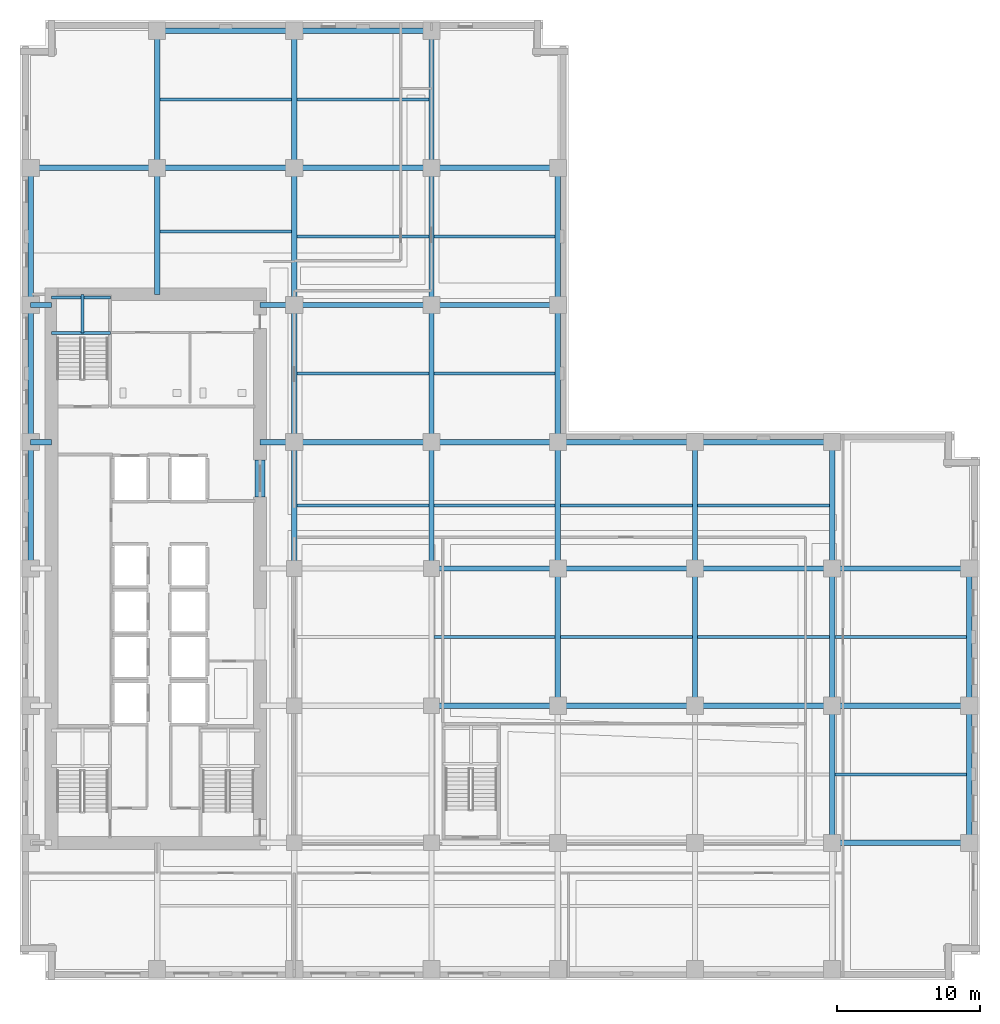
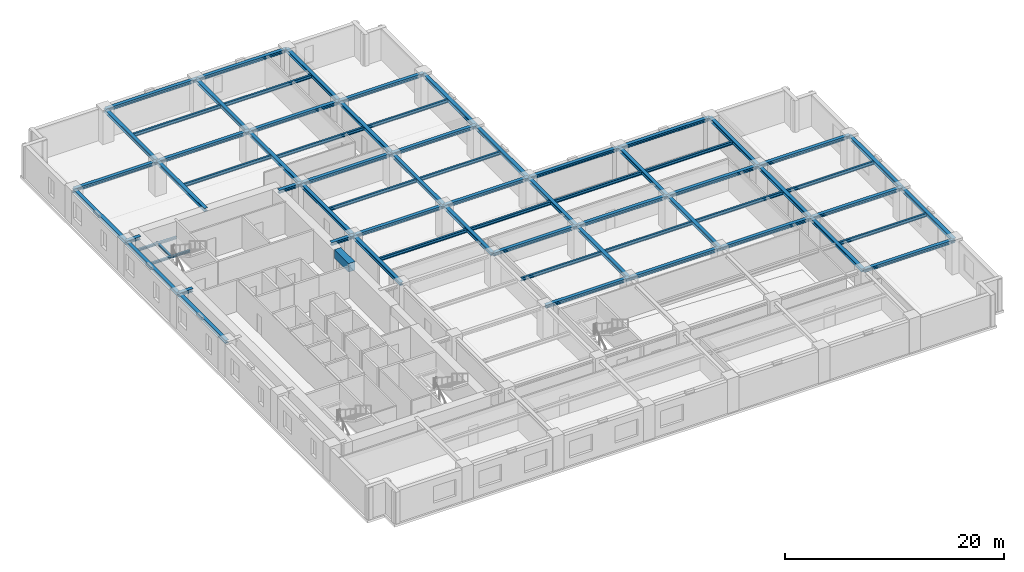
# One storey, part 2 of 13: 69 beams.
"""IFC4 building model written with IfcOpenShell, lengths in metres."""

from ifc_helpers import new_model, si_unit, direction, frame, origin, origin_2d, place, context, subcontext, project, spatial, rectangle, i_section, extrude, material, material_profile, profile_set, type_object, element, save


model = new_model("IFC4")

# Units and contexts
model_context = context("Model", 3, precision=1e-05, world=origin(), true_north=direction((0.0, 1.0)))
body_context = subcontext(model_context, "Body", "Model", "MODEL_VIEW")
ifc_project = project(units=[si_unit("LENGTHUNIT", "METRE"), si_unit("AREAUNIT", "SQUARE_METRE"), si_unit("VOLUMEUNIT", "CUBIC_METRE"), si_unit("PLANEANGLEUNIT", "RADIAN"), si_unit("MASSUNIT", "GRAM", prefix="KILO")], contexts=[model_context])

# Site, building, storey
site_placement = place(None, origin())
site = spatial("IfcSite", under=ifc_project, at=site_placement, CompositionType="ELEMENT")
building_placement = place(site_placement, origin())
building = spatial("IfcBuilding", under=site, at=building_placement, Name="Norrvale University Quadrangle", CompositionType="ELEMENT")
storey_placement = place(building_placement, frame((0.0, 0.0, 47.0)))
storey = spatial("IfcBuildingStorey", under=building, at=storey_placement, Name="L11", CompositionType="ELEMENT", Elevation=47.0)

# Beams
ifc_material_1 = material(Name="Concrete C80/95", Category="concrete")
ifc_material_profile_1 = material_profile(ifc_material_1, rectangle(XDim=0.699951171875, YDim=0.949951171875, at=origin_2d()), Name="Concrete C80/95")
ifc_profile_set_1 = profile_set([ifc_material_profile_1], Name="Concrete C80/95")
beam_type_1 = type_object("IfcBeamType", Name="Beam Core Link 700x950", PredefinedType="LINTEL", material=ifc_profile_set_1)
beam_1_placement = place(storey_placement, frame((16.800048828125, 33.800048828125, 3.06494140625), z_axis=(0.0, 1.0, 0.0), x_axis=(-1.0, 0.0, 0.0)))
element("IfcBeam", 1, at=beam_1_placement, inside=storey, type_object=beam_type_1, Name="Core Coupling Lintel Beam L11-2", PredefinedType="LINTEL", context=body_context, shape_type="SweptSolid", body=[
    extrude(rectangle(XDim=0.699951171875, YDim=0.949951171875, at=origin_2d()), origin(), (0.0, 0.0, 1.0), 2.599853515625),
])
ifc_material_2 = material(Name="Steel 350W", Category="steel")
ifc_material_profile_2 = material_profile(ifc_material_2, i_section(OverallWidth=0.368896484375, OverallDepth=0.35595703125, WebThickness=0.01123046875, FlangeThickness=0.01806640625, FilletRadius=0.014892578125, at=origin_2d()), Name="Steel 350W")
ifc_profile_set_2 = profile_set([ifc_material_profile_2], Name="Steel 350W")
beam_type_2 = type_object("IfcBeamType", Name="Beam Crown W360x134", PredefinedType="BEAM", material=ifc_profile_set_2)
beam_2_placement = place(storey_placement, frame((56.85009765625, 9.60009765625, 3.362060546875), z_axis=(1.0, 0.0, 0.0), x_axis=(0.0, 1.0, 0.0)))
element("IfcBeam", 2, at=beam_2_placement, inside=storey, type_object=beam_type_2, Name="Beam Crown W360x134 BM-L11-GX010", PredefinedType="BEAM", context=body_context, shape_type="SweptSolid", body=[
    extrude(i_section(OverallWidth=0.368896484375, OverallDepth=0.35595703125, WebThickness=0.01123046875, FlangeThickness=0.01806640625, FilletRadius=0.014892578125, at=origin_2d()), origin(), (0.0, 0.0, 1.0), 9.599853515625),
])
beam_3_placement = place(storey_placement, frame((28.800048828125, 19.199951171875, 3.362060546875), z_axis=(1.0, 0.0, 0.0), x_axis=(0.0, 1.0, 0.0)))
element("IfcBeam", 3, at=beam_3_placement, inside=storey, type_object=beam_type_2, Name="Beam Crown W360x134 BM-L11-GX012", PredefinedType="BEAM", context=body_context, shape_type="SweptSolid", body=[
    extrude(i_section(OverallWidth=0.368896484375, OverallDepth=0.35595703125, WebThickness=0.01123046875, FlangeThickness=0.01806640625, FilletRadius=0.014892578125, at=origin_2d()), origin(), (0.0, 0.0, 1.0), 8.849853515625),
])
for number, where, z_axis, x_axis, name in (
    (4, (37.64990234375, 19.199951171875, 3.362060546875), (1.0, 0.0, 0.0), (0.0, 1.0, 0.0), "Beam Crown W360x134 BM-L11-GX013"),
    (5, (47.25, 19.199951171875, 3.362060546875), (1.0, 0.0, 0.0), (0.0, 1.0, 0.0), "Beam Crown W360x134 BM-L11-GX014"),
):
    element("IfcBeam", number, at=place(storey_placement, frame(where, z_axis=z_axis, x_axis=x_axis)), inside=storey, type_object=beam_type_2, Name=name, PredefinedType="BEAM", context=body_context, shape_type="SweptSolid", body=[
        extrude(i_section(OverallWidth=0.368896484375, OverallDepth=0.35595703125, WebThickness=0.01123046875, FlangeThickness=0.01806640625, FilletRadius=0.014892578125, at=origin_2d()), origin(), (0.0, 0.0, 1.0), 9.60009765625),
    ])
beam_4_placement = place(storey_placement, frame((56.85009765625, 19.199951171875, 3.362060546875), z_axis=(1.0, 0.0, 0.0), x_axis=(0.0, 1.0, 0.0)))
element("IfcBeam", 6, at=beam_4_placement, inside=storey, type_object=beam_type_2, Name="Beam Crown W360x134 BM-L11-GX015", PredefinedType="BEAM", context=body_context, shape_type="SweptSolid", body=[
    extrude(i_section(OverallWidth=0.368896484375, OverallDepth=0.35595703125, WebThickness=0.01123046875, FlangeThickness=0.01806640625, FilletRadius=0.014892578125, at=origin_2d()), origin(), (0.0, 0.0, 1.0), 9.599853515625),
])
beam_5_placement = place(storey_placement, frame((28.800048828125, 28.800048828125, 3.362060546875), z_axis=(1.0, 0.0, 0.0), x_axis=(0.0, 1.0, 0.0)))
element("IfcBeam", 7, at=beam_5_placement, inside=storey, type_object=beam_type_2, Name="Beam Crown W360x134 BM-L11-GX017", PredefinedType="BEAM", context=body_context, shape_type="SweptSolid", body=[
    extrude(i_section(OverallWidth=0.368896484375, OverallDepth=0.35595703125, WebThickness=0.01123046875, FlangeThickness=0.01806640625, FilletRadius=0.014892578125, at=origin_2d()), origin(), (0.0, 0.0, 1.0), 8.849853515625),
])
for number, where, z_axis, x_axis, name in (
    (8, (37.64990234375, 28.800048828125, 3.362060546875), (1.0, 0.0, 0.0), (0.0, 1.0, 0.0), "Beam Crown W360x134 BM-L11-GX018"),
    (9, (47.25, 28.800048828125, 3.362060546875), (1.0, 0.0, 0.0), (0.0, 1.0, 0.0), "Beam Crown W360x134 BM-L11-GX019"),
):
    element("IfcBeam", number, at=place(storey_placement, frame(where, z_axis=z_axis, x_axis=x_axis)), inside=storey, type_object=beam_type_2, Name=name, PredefinedType="BEAM", context=body_context, shape_type="SweptSolid", body=[
        extrude(i_section(OverallWidth=0.368896484375, OverallDepth=0.35595703125, WebThickness=0.01123046875, FlangeThickness=0.01806640625, FilletRadius=0.014892578125, at=origin_2d()), origin(), (0.0, 0.0, 1.0), 9.60009765625),
    ])
beam_6_placement = place(storey_placement, frame((56.85009765625, 28.800048828125, 3.362060546875), z_axis=(1.0, 0.0, 0.0), x_axis=(0.0, 1.0, 0.0)))
element("IfcBeam", 10, at=beam_6_placement, inside=storey, type_object=beam_type_2, Name="Beam Crown W360x134 BM-L11-GX020", PredefinedType="BEAM", context=body_context, shape_type="SweptSolid", body=[
    extrude(i_section(OverallWidth=0.368896484375, OverallDepth=0.35595703125, WebThickness=0.01123046875, FlangeThickness=0.01806640625, FilletRadius=0.014892578125, at=origin_2d()), origin(), (0.0, 0.0, 1.0), 9.599853515625),
])
beam_7_placement = place(storey_placement, frame((19.199951171875, 37.64990234375, 3.362060546875), z_axis=(1.0, 0.0, 0.0), x_axis=(0.0, 1.0, 0.0)))
element("IfcBeam", 11, at=beam_7_placement, inside=storey, type_object=beam_type_2, Name="Beam Crown W360x134 BM-L11-GX021", PredefinedType="BEAM", context=body_context, shape_type="SweptSolid", body=[
    extrude(i_section(OverallWidth=0.368896484375, OverallDepth=0.35595703125, WebThickness=0.01123046875, FlangeThickness=0.01806640625, FilletRadius=0.014892578125, at=origin_2d()), origin(), (0.0, 0.0, 1.0), 9.60009765625),
])
beam_8_placement = place(storey_placement, frame((28.800048828125, 37.64990234375, 3.362060546875), z_axis=(1.0, 0.0, 0.0), x_axis=(0.0, 1.0, 0.0)))
element("IfcBeam", 12, at=beam_8_placement, inside=storey, type_object=beam_type_2, Name="Beam Crown W360x134 BM-L11-GX022", PredefinedType="BEAM", context=body_context, shape_type="SweptSolid", body=[
    extrude(i_section(OverallWidth=0.368896484375, OverallDepth=0.35595703125, WebThickness=0.01123046875, FlangeThickness=0.01806640625, FilletRadius=0.014892578125, at=origin_2d()), origin(), (0.0, 0.0, 1.0), 8.849853515625),
])
for number, where, z_axis, x_axis, name in (
    (13, (37.64990234375, 37.64990234375, 3.362060546875), (1.0, 0.0, 0.0), (0.0, 1.0, 0.0), "Beam Crown W360x134 BM-L11-GX023"),
    (14, (47.25, 37.64990234375, 3.362060546875), (1.0, 0.0, 0.0), (0.0, 1.0, 0.0), "Beam Crown W360x134 BM-L11-GX024"),
    (15, (19.199951171875, 47.25, 3.362060546875), (1.0, 0.0, 0.0), (0.0, 1.0, 0.0), "Beam Crown W360x134 BM-L11-GX025"),
):
    element("IfcBeam", number, at=place(storey_placement, frame(where, z_axis=z_axis, x_axis=x_axis)), inside=storey, type_object=beam_type_2, Name=name, PredefinedType="BEAM", context=body_context, shape_type="SweptSolid", body=[
        extrude(i_section(OverallWidth=0.368896484375, OverallDepth=0.35595703125, WebThickness=0.01123046875, FlangeThickness=0.01806640625, FilletRadius=0.014892578125, at=origin_2d()), origin(), (0.0, 0.0, 1.0), 9.60009765625),
    ])
beam_9_placement = place(storey_placement, frame((28.800048828125, 47.25, 3.362060546875), z_axis=(1.0, 0.0, 0.0), x_axis=(0.0, 1.0, 0.0)))
element("IfcBeam", 16, at=beam_9_placement, inside=storey, type_object=beam_type_2, Name="Beam Crown W360x134 BM-L11-GX026", PredefinedType="BEAM", context=body_context, shape_type="SweptSolid", body=[
    extrude(i_section(OverallWidth=0.368896484375, OverallDepth=0.35595703125, WebThickness=0.01123046875, FlangeThickness=0.01806640625, FilletRadius=0.014892578125, at=origin_2d()), origin(), (0.0, 0.0, 1.0), 8.849853515625),
])
beam_10_placement = place(storey_placement, frame((0.75, 56.85009765625, 3.362060546875), z_axis=(1.0, 0.0, 0.0), x_axis=(0.0, 1.0, 0.0)))
element("IfcBeam", 17, at=beam_10_placement, inside=storey, type_object=beam_type_2, Name="Beam Crown W360x134 BM-L11-GX027", PredefinedType="BEAM", context=body_context, shape_type="SweptSolid", body=[
    extrude(i_section(OverallWidth=0.368896484375, OverallDepth=0.35595703125, WebThickness=0.01123046875, FlangeThickness=0.01806640625, FilletRadius=0.014892578125, at=origin_2d()), origin(), (0.0, 0.0, 1.0), 8.85009765625),
])
beam_11_placement = place(storey_placement, frame((9.60009765625, 56.85009765625, 3.362060546875), z_axis=(1.0, 0.0, 0.0), x_axis=(0.0, 1.0, 0.0)))
element("IfcBeam", 18, at=beam_11_placement, inside=storey, type_object=beam_type_2, Name="Beam Crown W360x134 BM-L11-GX028", PredefinedType="BEAM", context=body_context, shape_type="SweptSolid", body=[
    extrude(i_section(OverallWidth=0.368896484375, OverallDepth=0.35595703125, WebThickness=0.01123046875, FlangeThickness=0.01806640625, FilletRadius=0.014892578125, at=origin_2d()), origin(), (0.0, 0.0, 1.0), 9.599853515625),
])
beam_12_placement = place(storey_placement, frame((19.199951171875, 56.85009765625, 3.362060546875), z_axis=(1.0, 0.0, 0.0), x_axis=(0.0, 1.0, 0.0)))
element("IfcBeam", 19, at=beam_12_placement, inside=storey, type_object=beam_type_2, Name="Beam Crown W360x134 BM-L11-GX029", PredefinedType="BEAM", context=body_context, shape_type="SweptSolid", body=[
    extrude(i_section(OverallWidth=0.368896484375, OverallDepth=0.35595703125, WebThickness=0.01123046875, FlangeThickness=0.01806640625, FilletRadius=0.014892578125, at=origin_2d()), origin(), (0.0, 0.0, 1.0), 9.60009765625),
])
beam_13_placement = place(storey_placement, frame((28.800048828125, 56.85009765625, 3.362060546875), z_axis=(1.0, 0.0, 0.0), x_axis=(0.0, 1.0, 0.0)))
element("IfcBeam", 20, at=beam_13_placement, inside=storey, type_object=beam_type_2, Name="Beam Crown W360x134 BM-L11-GX030", PredefinedType="BEAM", context=body_context, shape_type="SweptSolid", body=[
    extrude(i_section(OverallWidth=0.368896484375, OverallDepth=0.35595703125, WebThickness=0.01123046875, FlangeThickness=0.01806640625, FilletRadius=0.014892578125, at=origin_2d()), origin(), (0.0, 0.0, 1.0), 8.849853515625),
])
beam_14_placement = place(storey_placement, frame((9.60009765625, 66.449951171875, 3.362060546875), z_axis=(1.0, 0.0, 0.0), x_axis=(0.0, 1.0, 0.0)))
element("IfcBeam", 21, at=beam_14_placement, inside=storey, type_object=beam_type_2, Name="Beam Crown W360x134 BM-L11-GX031", PredefinedType="BEAM", context=body_context, shape_type="SweptSolid", body=[
    extrude(i_section(OverallWidth=0.368896484375, OverallDepth=0.35595703125, WebThickness=0.01123046875, FlangeThickness=0.01806640625, FilletRadius=0.014892578125, at=origin_2d()), origin(), (0.0, 0.0, 1.0), 9.599853515625),
])
beam_15_placement = place(storey_placement, frame((19.199951171875, 66.449951171875, 3.362060546875), z_axis=(1.0, 0.0, 0.0), x_axis=(0.0, 1.0, 0.0)))
element("IfcBeam", 22, at=beam_15_placement, inside=storey, type_object=beam_type_2, Name="Beam Crown W360x134 BM-L11-GX032", PredefinedType="BEAM", context=body_context, shape_type="SweptSolid", body=[
    extrude(i_section(OverallWidth=0.368896484375, OverallDepth=0.35595703125, WebThickness=0.01123046875, FlangeThickness=0.01806640625, FilletRadius=0.014892578125, at=origin_2d()), origin(), (0.0, 0.0, 1.0), 9.60009765625),
])
beam_16_placement = place(storey_placement, frame((0.75, 28.800048828125, 3.362060546875), z_axis=(0.0, 1.0, 0.0), x_axis=(-1.0, 0.0, 0.0)))
element("IfcBeam", 23, at=beam_16_placement, inside=storey, type_object=beam_type_2, Name="Beam Crown W360x134 BM-L11-GY035", PredefinedType="BEAM", context=body_context, shape_type="SweptSolid", body=[
    extrude(i_section(OverallWidth=0.368896484375, OverallDepth=0.35595703125, WebThickness=0.01123046875, FlangeThickness=0.01806640625, FilletRadius=0.014892578125, at=origin_2d()), origin(), (0.0, 0.0, 1.0), 8.849853515625),
])
for number, where, z_axis, x_axis, name in (
    (24, (0.75, 37.64990234375, 3.362060546875), (0.0, 1.0, 0.0), (-1.0, 0.0, 0.0), "Beam Crown W360x134 BM-L11-GY036"),
    (25, (0.75, 47.25, 3.362060546875), (0.0, 1.0, 0.0), (-1.0, 0.0, 0.0), "Beam Crown W360x134 BM-L11-GY037"),
):
    element("IfcBeam", number, at=place(storey_placement, frame(where, z_axis=z_axis, x_axis=x_axis)), inside=storey, type_object=beam_type_2, Name=name, PredefinedType="BEAM", context=body_context, shape_type="SweptSolid", body=[
        extrude(i_section(OverallWidth=0.368896484375, OverallDepth=0.35595703125, WebThickness=0.01123046875, FlangeThickness=0.01806640625, FilletRadius=0.014892578125, at=origin_2d()), origin(), (0.0, 0.0, 1.0), 9.60009765625),
    ])
beam_17_placement = place(storey_placement, frame((9.60009765625, 56.85009765625, 3.362060546875), z_axis=(0.0, 1.0, 0.0), x_axis=(-1.0, 0.0, 0.0)))
element("IfcBeam", 26, at=beam_17_placement, inside=storey, type_object=beam_type_2, Name="Beam Crown W360x134 BM-L11-GY038", PredefinedType="BEAM", context=body_context, shape_type="SweptSolid", body=[
    extrude(i_section(OverallWidth=0.368896484375, OverallDepth=0.35595703125, WebThickness=0.01123046875, FlangeThickness=0.01806640625, FilletRadius=0.014892578125, at=origin_2d()), origin(), (0.0, 0.0, 1.0), 9.599853515625),
])
beam_18_placement = place(storey_placement, frame((19.199951171875, 28.800048828125, 3.362060546875), z_axis=(0.0, 1.0, 0.0), x_axis=(-1.0, 0.0, 0.0)))
element("IfcBeam", 27, at=beam_18_placement, inside=storey, type_object=beam_type_2, Name="Beam Crown W360x134 BM-L11-GY042", PredefinedType="BEAM", context=body_context, shape_type="SweptSolid", body=[
    extrude(i_section(OverallWidth=0.368896484375, OverallDepth=0.35595703125, WebThickness=0.01123046875, FlangeThickness=0.01806640625, FilletRadius=0.014892578125, at=origin_2d()), origin(), (0.0, 0.0, 1.0), 8.849853515625),
])
for number, where, z_axis, x_axis, name in (
    (28, (19.199951171875, 37.64990234375, 3.362060546875), (0.0, 1.0, 0.0), (-1.0, 0.0, 0.0), "Beam Crown W360x134 BM-L11-GY043"),
    (29, (19.199951171875, 47.25, 3.362060546875), (0.0, 1.0, 0.0), (-1.0, 0.0, 0.0), "Beam Crown W360x134 BM-L11-GY044"),
):
    element("IfcBeam", number, at=place(storey_placement, frame(where, z_axis=z_axis, x_axis=x_axis)), inside=storey, type_object=beam_type_2, Name=name, PredefinedType="BEAM", context=body_context, shape_type="SweptSolid", body=[
        extrude(i_section(OverallWidth=0.368896484375, OverallDepth=0.35595703125, WebThickness=0.01123046875, FlangeThickness=0.01806640625, FilletRadius=0.014892578125, at=origin_2d()), origin(), (0.0, 0.0, 1.0), 9.60009765625),
    ])
beam_19_placement = place(storey_placement, frame((19.199951171875, 56.85009765625, 3.362060546875), z_axis=(0.0, 1.0, 0.0), x_axis=(-1.0, 0.0, 0.0)))
element("IfcBeam", 30, at=beam_19_placement, inside=storey, type_object=beam_type_2, Name="Beam Crown W360x134 BM-L11-GY045", PredefinedType="BEAM", context=body_context, shape_type="SweptSolid", body=[
    extrude(i_section(OverallWidth=0.368896484375, OverallDepth=0.35595703125, WebThickness=0.01123046875, FlangeThickness=0.01806640625, FilletRadius=0.014892578125, at=origin_2d()), origin(), (0.0, 0.0, 1.0), 9.599853515625),
])
beam_20_placement = place(storey_placement, frame((28.800048828125, 28.800048828125, 3.362060546875), z_axis=(0.0, 1.0, 0.0), x_axis=(-1.0, 0.0, 0.0)))
element("IfcBeam", 31, at=beam_20_placement, inside=storey, type_object=beam_type_2, Name="Beam Crown W360x134 BM-L11-GY049", PredefinedType="BEAM", context=body_context, shape_type="SweptSolid", body=[
    extrude(i_section(OverallWidth=0.368896484375, OverallDepth=0.35595703125, WebThickness=0.01123046875, FlangeThickness=0.01806640625, FilletRadius=0.014892578125, at=origin_2d()), origin(), (0.0, 0.0, 1.0), 8.849853515625),
])
for number, where, z_axis, x_axis, name in (
    (32, (28.800048828125, 37.64990234375, 3.362060546875), (0.0, 1.0, 0.0), (-1.0, 0.0, 0.0), "Beam Crown W360x134 BM-L11-GY050"),
    (33, (28.800048828125, 47.25, 3.362060546875), (0.0, 1.0, 0.0), (-1.0, 0.0, 0.0), "Beam Crown W360x134 BM-L11-GY051"),
):
    element("IfcBeam", number, at=place(storey_placement, frame(where, z_axis=z_axis, x_axis=x_axis)), inside=storey, type_object=beam_type_2, Name=name, PredefinedType="BEAM", context=body_context, shape_type="SweptSolid", body=[
        extrude(i_section(OverallWidth=0.368896484375, OverallDepth=0.35595703125, WebThickness=0.01123046875, FlangeThickness=0.01806640625, FilletRadius=0.014892578125, at=origin_2d()), origin(), (0.0, 0.0, 1.0), 9.60009765625),
    ])
beam_21_placement = place(storey_placement, frame((28.800048828125, 56.85009765625, 3.362060546875), z_axis=(0.0, 1.0, 0.0), x_axis=(-1.0, 0.0, 0.0)))
element("IfcBeam", 34, at=beam_21_placement, inside=storey, type_object=beam_type_2, Name="Beam Crown W360x134 BM-L11-GY052", PredefinedType="BEAM", context=body_context, shape_type="SweptSolid", body=[
    extrude(i_section(OverallWidth=0.368896484375, OverallDepth=0.35595703125, WebThickness=0.01123046875, FlangeThickness=0.01806640625, FilletRadius=0.014892578125, at=origin_2d()), origin(), (0.0, 0.0, 1.0), 9.599853515625),
])
beam_22_placement = place(storey_placement, frame((37.64990234375, 19.199951171875, 3.362060546875), z_axis=(0.0, 1.0, 0.0), x_axis=(-1.0, 0.0, 0.0)))
element("IfcBeam", 35, at=beam_22_placement, inside=storey, type_object=beam_type_2, Name="Beam Crown W360x134 BM-L11-GY055", PredefinedType="BEAM", context=body_context, shape_type="SweptSolid", body=[
    extrude(i_section(OverallWidth=0.368896484375, OverallDepth=0.35595703125, WebThickness=0.01123046875, FlangeThickness=0.01806640625, FilletRadius=0.014892578125, at=origin_2d()), origin(), (0.0, 0.0, 1.0), 9.60009765625),
])
beam_23_placement = place(storey_placement, frame((37.64990234375, 28.800048828125, 3.362060546875), z_axis=(0.0, 1.0, 0.0), x_axis=(-1.0, 0.0, 0.0)))
element("IfcBeam", 36, at=beam_23_placement, inside=storey, type_object=beam_type_2, Name="Beam Crown W360x134 BM-L11-GY056", PredefinedType="BEAM", context=body_context, shape_type="SweptSolid", body=[
    extrude(i_section(OverallWidth=0.368896484375, OverallDepth=0.35595703125, WebThickness=0.01123046875, FlangeThickness=0.01806640625, FilletRadius=0.014892578125, at=origin_2d()), origin(), (0.0, 0.0, 1.0), 8.849853515625),
])
for number, where, z_axis, x_axis, name in (
    (37, (37.64990234375, 37.64990234375, 3.362060546875), (0.0, 1.0, 0.0), (-1.0, 0.0, 0.0), "Beam Crown W360x134 BM-L11-GY057"),
    (38, (37.64990234375, 47.25, 3.362060546875), (0.0, 1.0, 0.0), (-1.0, 0.0, 0.0), "Beam Crown W360x134 BM-L11-GY058"),
    (39, (47.25, 19.199951171875, 3.362060546875), (0.0, 1.0, 0.0), (-1.0, 0.0, 0.0), "Beam Crown W360x134 BM-L11-GY061"),
):
    element("IfcBeam", number, at=place(storey_placement, frame(where, z_axis=z_axis, x_axis=x_axis)), inside=storey, type_object=beam_type_2, Name=name, PredefinedType="BEAM", context=body_context, shape_type="SweptSolid", body=[
        extrude(i_section(OverallWidth=0.368896484375, OverallDepth=0.35595703125, WebThickness=0.01123046875, FlangeThickness=0.01806640625, FilletRadius=0.014892578125, at=origin_2d()), origin(), (0.0, 0.0, 1.0), 9.60009765625),
    ])
beam_24_placement = place(storey_placement, frame((47.25, 28.800048828125, 3.362060546875), z_axis=(0.0, 1.0, 0.0), x_axis=(-1.0, 0.0, 0.0)))
element("IfcBeam", 40, at=beam_24_placement, inside=storey, type_object=beam_type_2, Name="Beam Crown W360x134 BM-L11-GY062", PredefinedType="BEAM", context=body_context, shape_type="SweptSolid", body=[
    extrude(i_section(OverallWidth=0.368896484375, OverallDepth=0.35595703125, WebThickness=0.01123046875, FlangeThickness=0.01806640625, FilletRadius=0.014892578125, at=origin_2d()), origin(), (0.0, 0.0, 1.0), 8.849853515625),
])
beam_25_placement = place(storey_placement, frame((56.85009765625, 9.60009765625, 3.362060546875), z_axis=(0.0, 1.0, 0.0), x_axis=(-1.0, 0.0, 0.0)))
element("IfcBeam", 41, at=beam_25_placement, inside=storey, type_object=beam_type_2, Name="Beam Crown W360x134 BM-L11-GY064", PredefinedType="BEAM", context=body_context, shape_type="SweptSolid", body=[
    extrude(i_section(OverallWidth=0.368896484375, OverallDepth=0.35595703125, WebThickness=0.01123046875, FlangeThickness=0.01806640625, FilletRadius=0.014892578125, at=origin_2d()), origin(), (0.0, 0.0, 1.0), 9.599853515625),
])
beam_26_placement = place(storey_placement, frame((56.85009765625, 19.199951171875, 3.362060546875), z_axis=(0.0, 1.0, 0.0), x_axis=(-1.0, 0.0, 0.0)))
element("IfcBeam", 42, at=beam_26_placement, inside=storey, type_object=beam_type_2, Name="Beam Crown W360x134 BM-L11-GY065", PredefinedType="BEAM", context=body_context, shape_type="SweptSolid", body=[
    extrude(i_section(OverallWidth=0.368896484375, OverallDepth=0.35595703125, WebThickness=0.01123046875, FlangeThickness=0.01806640625, FilletRadius=0.014892578125, at=origin_2d()), origin(), (0.0, 0.0, 1.0), 9.60009765625),
])
beam_27_placement = place(storey_placement, frame((56.85009765625, 28.800048828125, 3.362060546875), z_axis=(0.0, 1.0, 0.0), x_axis=(-1.0, 0.0, 0.0)))
element("IfcBeam", 43, at=beam_27_placement, inside=storey, type_object=beam_type_2, Name="Beam Crown W360x134 BM-L11-GY066", PredefinedType="BEAM", context=body_context, shape_type="SweptSolid", body=[
    extrude(i_section(OverallWidth=0.368896484375, OverallDepth=0.35595703125, WebThickness=0.01123046875, FlangeThickness=0.01806640625, FilletRadius=0.014892578125, at=origin_2d()), origin(), (0.0, 0.0, 1.0), 8.849853515625),
])
beam_28_placement = place(storey_placement, frame((66.449951171875, 9.60009765625, 3.362060546875), z_axis=(0.0, 1.0, 0.0), x_axis=(-1.0, 0.0, 0.0)))
element("IfcBeam", 44, at=beam_28_placement, inside=storey, type_object=beam_type_2, Name="Beam Crown W360x134 BM-L11-GY067", PredefinedType="BEAM", context=body_context, shape_type="SweptSolid", body=[
    extrude(i_section(OverallWidth=0.368896484375, OverallDepth=0.35595703125, WebThickness=0.01123046875, FlangeThickness=0.01806640625, FilletRadius=0.014892578125, at=origin_2d()), origin(), (0.0, 0.0, 1.0), 9.599853515625),
])
beam_29_placement = place(storey_placement, frame((66.449951171875, 19.199951171875, 3.362060546875), z_axis=(0.0, 1.0, 0.0), x_axis=(-1.0, 0.0, 0.0)))
element("IfcBeam", 45, at=beam_29_placement, inside=storey, type_object=beam_type_2, Name="Beam Crown W360x134 BM-L11-GY068", PredefinedType="BEAM", context=body_context, shape_type="SweptSolid", body=[
    extrude(i_section(OverallWidth=0.368896484375, OverallDepth=0.35595703125, WebThickness=0.01123046875, FlangeThickness=0.01806640625, FilletRadius=0.014892578125, at=origin_2d()), origin(), (0.0, 0.0, 1.0), 9.60009765625),
])
beam_30_placement = place(storey_placement, frame((0.75, 37.64990234375, 3.362060546875), z_axis=(1.0, 0.0, 0.0), x_axis=(0.0, 1.0, 0.0)))
element("IfcBeam", 46, at=beam_30_placement, inside=storey, type_object=beam_type_2, Name="Beam Crown W360x134 BM-L11-GCW075", PredefinedType="BEAM", context=body_context, shape_type="SweptSolid", body=[
    extrude(i_section(OverallWidth=0.368896484375, OverallDepth=0.35595703125, WebThickness=0.01123046875, FlangeThickness=0.01806640625, FilletRadius=0.014892578125, at=origin_2d()), origin(), (0.0, 0.0, 1.0), 1.449951171875),
])
beam_31_placement = place(storey_placement, frame((16.800048828125, 37.64990234375, 3.362060546875), z_axis=(1.0, 0.0, 0.0), x_axis=(0.0, 1.0, 0.0)))
element("IfcBeam", 47, at=beam_31_placement, inside=storey, type_object=beam_type_2, Name="Beam Crown W360x134 BM-L11-GCE076", PredefinedType="BEAM", context=body_context, shape_type="SweptSolid", body=[
    extrude(i_section(OverallWidth=0.368896484375, OverallDepth=0.35595703125, WebThickness=0.01123046875, FlangeThickness=0.01806640625, FilletRadius=0.014892578125, at=origin_2d()), origin(), (0.0, 0.0, 1.0), 2.39990234375),
])
beam_32_placement = place(storey_placement, frame((0.75, 47.25, 3.362060546875), z_axis=(1.0, 0.0, 0.0), x_axis=(0.0, 1.0, 0.0)))
element("IfcBeam", 48, at=beam_32_placement, inside=storey, type_object=beam_type_2, Name="Beam Crown W360x134 BM-L11-GCW077", PredefinedType="BEAM", context=body_context, shape_type="SweptSolid", body=[
    extrude(i_section(OverallWidth=0.368896484375, OverallDepth=0.35595703125, WebThickness=0.01123046875, FlangeThickness=0.01806640625, FilletRadius=0.014892578125, at=origin_2d()), origin(), (0.0, 0.0, 1.0), 1.449951171875),
])
beam_33_placement = place(storey_placement, frame((16.800048828125, 47.25, 3.362060546875), z_axis=(1.0, 0.0, 0.0), x_axis=(0.0, 1.0, 0.0)))
element("IfcBeam", 49, at=beam_33_placement, inside=storey, type_object=beam_type_2, Name="Beam Crown W360x134 BM-L11-GCE078", PredefinedType="BEAM", context=body_context, shape_type="SweptSolid", body=[
    extrude(i_section(OverallWidth=0.368896484375, OverallDepth=0.35595703125, WebThickness=0.01123046875, FlangeThickness=0.01806640625, FilletRadius=0.014892578125, at=origin_2d()), origin(), (0.0, 0.0, 1.0), 2.39990234375),
])
beam_34_placement = place(storey_placement, frame((9.60009765625, 48.0, 3.362060546875), z_axis=(0.0, 1.0, 0.0), x_axis=(-1.0, 0.0, 0.0)))
element("IfcBeam", 50, at=beam_34_placement, inside=storey, type_object=beam_type_2, Name="Beam Crown W360x134 BM-L11-GCN104", PredefinedType="BEAM", context=body_context, shape_type="SweptSolid", body=[
    extrude(i_section(OverallWidth=0.368896484375, OverallDepth=0.35595703125, WebThickness=0.01123046875, FlangeThickness=0.01806640625, FilletRadius=0.014892578125, at=origin_2d()), origin(), (0.0, 0.0, 1.0), 8.85009765625),
])
ifc_material_profile_3 = material_profile(ifc_material_2, i_section(OverallWidth=0.205078125, OverallDepth=0.35400390625, WebThickness=0.009521484375, FlangeThickness=0.016845703125, FilletRadius=0.011962890625, at=origin_2d()), Name="Steel 350W")
ifc_profile_set_3 = profile_set([ifc_material_profile_3], Name="Steel 350W")
beam_type_3 = type_object("IfcBeamType", Name="Beam Crown W360x79", PredefinedType="BEAM", material=ifc_profile_set_3)
for number, where, z_axis, x_axis, name in (
    (51, (9.784423828125, 61.64990234375, 3.363037109375), (1.0, 0.0, 0.0), (0.0, 1.0, 0.0), "Beam Crown W360x79 BM-L11-J079"),
    (52, (19.384521484375, 33.22509765625, 3.363037109375), (1.0, 0.0, 0.0), (0.0, 1.0, 0.0), "Beam Crown W360x79 BM-L11-J083"),
    (53, (19.384521484375, 42.449951171875, 3.363037109375), (1.0, 0.0, 0.0), (0.0, 1.0, 0.0), "Beam Crown W360x79 BM-L11-J084"),
    (54, (19.384521484375, 52.050048828125, 3.363037109375), (1.0, 0.0, 0.0), (0.0, 1.0, 0.0), "Beam Crown W360x79 BM-L11-J085"),
    (55, (19.384521484375, 61.64990234375, 3.363037109375), (1.0, 0.0, 0.0), (0.0, 1.0, 0.0), "Beam Crown W360x79 BM-L11-J086"),
):
    element("IfcBeam", number, at=place(storey_placement, frame(where, z_axis=z_axis, x_axis=x_axis)), inside=storey, type_object=beam_type_3, Name=name, PredefinedType="BEAM", context=body_context, shape_type="SweptSolid", body=[
        extrude(i_section(OverallWidth=0.205078125, OverallDepth=0.35400390625, WebThickness=0.009521484375, FlangeThickness=0.016845703125, FilletRadius=0.011962890625, at=origin_2d()), origin(), (0.0, 0.0, 1.0), 9.23095703125),
    ])
for number, where, z_axis, x_axis, name in (
    (56, (28.984619140625, 24.0, 3.363037109375), (1.0, 0.0, 0.0), (0.0, 1.0, 0.0), "Beam Crown W360x79 BM-L11-J088"),
    (57, (28.984619140625, 33.22509765625, 3.363037109375), (1.0, 0.0, 0.0), (0.0, 1.0, 0.0), "Beam Crown W360x79 BM-L11-J089"),
    (58, (28.984619140625, 42.449951171875, 3.363037109375), (1.0, 0.0, 0.0), (0.0, 1.0, 0.0), "Beam Crown W360x79 BM-L11-J090"),
    (59, (28.984619140625, 52.050048828125, 3.363037109375), (1.0, 0.0, 0.0), (0.0, 1.0, 0.0), "Beam Crown W360x79 BM-L11-J091"),
):
    element("IfcBeam", number, at=place(storey_placement, frame(where, z_axis=z_axis, x_axis=x_axis)), inside=storey, type_object=beam_type_3, Name=name, PredefinedType="BEAM", context=body_context, shape_type="SweptSolid", body=[
        extrude(i_section(OverallWidth=0.205078125, OverallDepth=0.35400390625, WebThickness=0.009521484375, FlangeThickness=0.016845703125, FilletRadius=0.011962890625, at=origin_2d()), origin(), (0.0, 0.0, 1.0), 8.48095703125),
    ])
for number, where, z_axis, x_axis, name in (
    (60, (37.83447265625, 24.0, 3.363037109375), (1.0, 0.0, 0.0), (0.0, 1.0, 0.0), "Beam Crown W360x79 BM-L11-J094"),
    (61, (37.83447265625, 33.22509765625, 3.363037109375), (1.0, 0.0, 0.0), (0.0, 1.0, 0.0), "Beam Crown W360x79 BM-L11-J095"),
    (62, (47.4345703125, 24.0, 3.363037109375), (1.0, 0.0, 0.0), (0.0, 1.0, 0.0), "Beam Crown W360x79 BM-L11-J098"),
    (63, (47.4345703125, 33.22509765625, 3.363037109375), (1.0, 0.0, 0.0), (0.0, 1.0, 0.0), "Beam Crown W360x79 BM-L11-J099"),
    (64, (57.034423828125, 14.39990234375, 3.363037109375), (1.0, 0.0, 0.0), (0.0, 1.0, 0.0), "Beam Crown W360x79 BM-L11-J100"),
    (65, (57.034423828125, 24.0, 3.363037109375), (1.0, 0.0, 0.0), (0.0, 1.0, 0.0), "Beam Crown W360x79 BM-L11-J101"),
    (66, (9.784423828125, 52.39990234375, 3.363037109375), (1.0, 0.0, 0.0), (0.0, 1.0, 0.0), "Beam Crown W360x79 BM-L11-JCN105"),
):
    element("IfcBeam", number, at=place(storey_placement, frame(where, z_axis=z_axis, x_axis=x_axis)), inside=storey, type_object=beam_type_3, Name=name, PredefinedType="BEAM", context=body_context, shape_type="SweptSolid", body=[
        extrude(i_section(OverallWidth=0.205078125, OverallDepth=0.35400390625, WebThickness=0.009521484375, FlangeThickness=0.016845703125, FilletRadius=0.011962890625, at=origin_2d()), origin(), (0.0, 0.0, 1.0), 9.23095703125),
    ])
ifc_material_profile_4 = material_profile(ifc_material_2, i_section(OverallWidth=0.201904296875, OverallDepth=0.2470703125, WebThickness=0.00732421875, FlangeThickness=0.010986328125, FilletRadius=0.011962890625, at=origin_2d()), Name="Steel 350W")
ifc_profile_set_4 = profile_set([ifc_material_profile_4], Name="Steel 350W")
beam_type_4 = type_object("IfcBeamType", Name="Beam Stair W250x49", PredefinedType="BEAM", material=ifc_profile_set_4)
for number, where, z_axis, x_axis, name in (
    (67, (2.199951171875, 45.2900390625, 1.576416015625), (1.0, 0.0, 0.0), (0.0, 1.0, 0.0), "Stair Mid-Landing Front Beam ST-02 L11"),
    (68, (2.199951171875, 47.77001953125, 1.576416015625), (1.0, 0.0, 0.0), (0.0, 1.0, 0.0), "Stair Mid-Landing Rear Beam ST-02 L11"),
):
    element("IfcBeam", number, at=place(storey_placement, frame(where, z_axis=z_axis, x_axis=x_axis)), inside=storey, type_object=beam_type_4, Name=name, PredefinedType="BEAM", context=body_context, shape_type="SweptSolid", body=[
        extrude(i_section(OverallWidth=0.201904296875, OverallDepth=0.2470703125, WebThickness=0.00732421875, FlangeThickness=0.010986328125, FilletRadius=0.011962890625, at=origin_2d()), origin(), (0.0, 0.0, 1.0), 4.14013671875),
    ])
ifc_material_profile_5 = material_profile(ifc_material_2, i_section(OverallWidth=0.202880859375, OverallDepth=0.202880859375, WebThickness=0.007080078125, FlangeThickness=0.010986328125, FilletRadius=0.010009765625, at=origin_2d()), Name="Steel 350W")
ifc_profile_set_5 = profile_set([ifc_material_profile_5], Name="Steel 350W")
beam_type_5 = type_object("IfcBeamType", Name="Beam Trim W200x46", PredefinedType="BEAM", material=ifc_profile_set_5)
beam_35_placement = place(storey_placement, frame((4.375, 45.2900390625, 1.598388671875), z_axis=(0.0, 1.0, 0.0), x_axis=(-1.0, 0.0, 0.0)))
element("IfcBeam", 69, at=beam_35_placement, inside=storey, type_object=beam_type_5, Name="Stair Mid-Landing Cross Beam ST-02 L11", PredefinedType="BEAM", context=body_context, shape_type="SweptSolid", body=[
    extrude(i_section(OverallWidth=0.202880859375, OverallDepth=0.202880859375, WebThickness=0.007080078125, FlangeThickness=0.010986328125, FilletRadius=0.010009765625, at=origin_2d()), origin(), (0.0, 0.0, 1.0), 2.7099609375),
])

save(model, "model.ifc")
